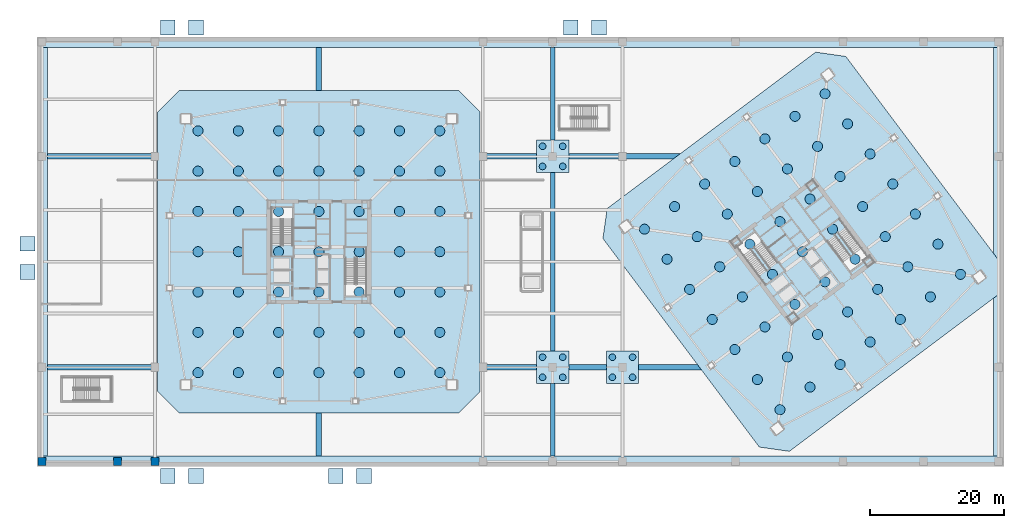
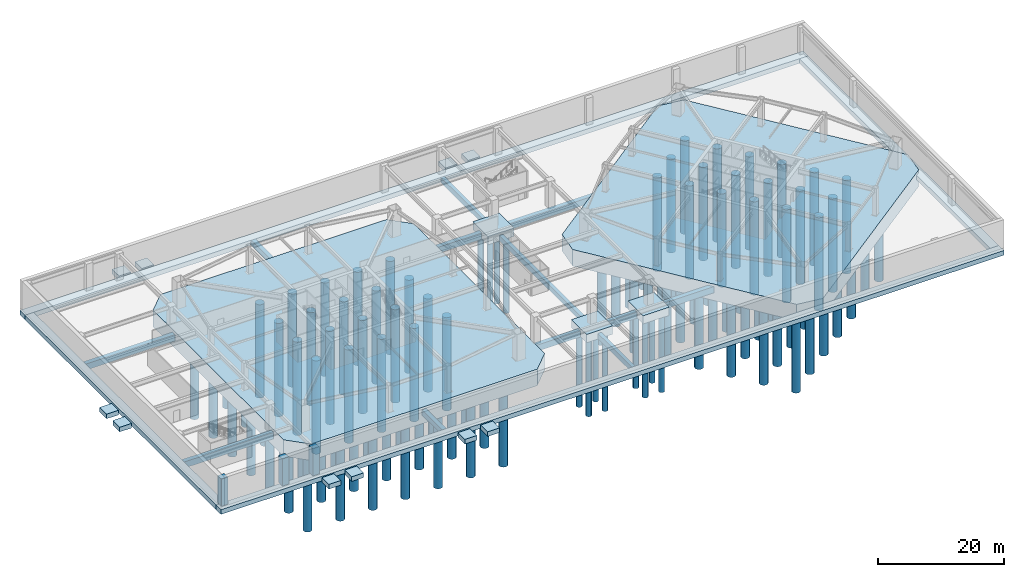
# One storey, part 1 of 19: 110 piles, 31 footings, 3 columns.
"""IFC4 building model written with IfcOpenShell, lengths in metres."""

import ifcopenshell
import ifcopenshell.guid

model = None  # the IFC model being written
_history = None  # IfcOwnerHistory: only IFC2X3 demands one
_inside = {}  # id of a spatial element -> (the spatial element, [elements in it])
_under = {}  # id of a project, library or spatial element -> (it, [spatial elements below it])
_declared = {}  # id of a project -> (the project, [libraries it declares])
_typed = {}  # id of a type object -> (the type object, [elements of that type])
_made_of = {}  # id of a material, layer set ... -> (it, [elements and type objects made of it])


def new_model(schema):
    """Start an empty IFC model of exactly this schema.

    Asked for "IFC4X3", IfcOpenShell would pick the latest addendum, in which some entities
    have other attributes; the version numbers below select the first issue.
    IFC2X3 requires an IfcOwnerHistory on every rooted entity: one is made here for all.
    """
    global model, _history
    if schema == "IFC4X3":
        model = ifcopenshell.file(schema_version=(4, 3, 0, 0))
    else:
        model = ifcopenshell.file(schema=schema)
    _inside.clear()
    _under.clear()
    _declared.clear()
    _typed.clear()
    _made_of.clear()
    _history = None
    if model.schema == "IFC2X3":
        org = make("IfcOrganization", Name="unknown")
        user = make(
            "IfcPersonAndOrganization",
            ThePerson=make("IfcPerson", FamilyName="unknown"),
            TheOrganization=org,
        )
        app = make(
            "IfcApplication",
            ApplicationDeveloper=org,
            Version="unknown",
            ApplicationFullName="unknown",
            ApplicationIdentifier="unknown",
        )
        _history = make(
            "IfcOwnerHistory",
            OwningUser=user,
            OwningApplication=app,
            ChangeAction="ADDED",
            CreationDate=0,
        )
    return model


def make(cls, **values):
    """One entity of the class cls with the attributes given. An attribute that is None is left unset."""
    return model.create_entity(
        cls, **{name: value for name, value in values.items() if value is not None}
    )


def rooted(cls, **values):
    """An entity with a GlobalId (a new one), such as an element, a storey or a relation."""
    return make(cls, GlobalId=ifcopenshell.guid.new(), OwnerHistory=_history, **values)


def si_unit(unit_type, name, prefix=None):
    """IfcSIUnit, for example si_unit("LENGTHUNIT", "METRE", prefix="MILLI")."""
    return make("IfcSIUnit", UnitType=unit_type, Prefix=prefix, Name=name)


def assignment(units):
    """IfcUnitAssignment: the units of a project."""
    return None if units is None else make("IfcUnitAssignment", Units=units)


def point(xyz):
    """IfcCartesianPoint."""
    return None if xyz is None else make("IfcCartesianPoint", Coordinates=xyz)


def direction(xyz):
    """IfcDirection."""
    return None if xyz is None else make("IfcDirection", DirectionRatios=xyz)


def frame(location, z_axis=None, x_axis=None):
    """IfcAxis2Placement3D, a coordinate frame: its origin and axes. An axis left out is left unset."""
    return make(
        "IfcAxis2Placement3D",
        Location=point(location),
        Axis=direction(z_axis),
        RefDirection=direction(x_axis),
    )


def frame_2d(location, x_axis=None):
    """IfcAxis2Placement2D, a coordinate frame in the plane: its origin and x axis."""
    return make(
        "IfcAxis2Placement2D", Location=point(location), RefDirection=direction(x_axis)
    )


def origin():
    """The frame at (0, 0, 0) with its axes left unset."""
    return frame((0.0, 0.0, 0.0))


def origin_2d():
    """The frame at (0, 0) in the plane with its x axis left unset."""
    return frame_2d((0.0, 0.0))


def place(relative_to, where):
    """IfcLocalPlacement: puts the frame where relative to a parent placement (None: the world)."""
    return make(
        "IfcLocalPlacement", PlacementRelTo=relative_to, RelativePlacement=where
    )


def context(
    kind, dimensions, precision=None, world=None, true_north=None, identifier=None
):
    """IfcGeometricRepresentationContext, for example the 3D "Model" context."""
    return make(
        "IfcGeometricRepresentationContext",
        ContextIdentifier=identifier,
        ContextType=kind,
        CoordinateSpaceDimension=dimensions,
        Precision=precision,
        WorldCoordinateSystem=world,
        TrueNorth=true_north,
    )


def subcontext(parent, identifier, kind, view, scale=None):
    """IfcGeometricRepresentationSubContext, for example "Body" below "Model"."""
    return make(
        "IfcGeometricRepresentationSubContext",
        ContextIdentifier=identifier,
        ContextType=kind,
        ParentContext=parent,
        TargetScale=scale,
        TargetView=view,
    )


def project(units=None, contexts=None):
    """IfcProject with its units and contexts."""
    return rooted(
        "IfcProject",
        Name="project",
        RepresentationContexts=contexts,
        UnitsInContext=assignment(units),
    )


def spatial(cls, under=None, at=None, **own):
    """A site, building, storey or space (cls), placed at a placement, below another one or the project."""
    s = rooted(cls, ObjectPlacement=at, **own)
    if under is not None:
        _under.setdefault(under.id(), (under, []))[1].append(s)
    return s


def polyline(points):
    """IfcPolyline through the points."""
    return make("IfcPolyline", Points=[point(p) for p in points])


def profile(cls, at=None, kind="AREA", **sizes):
    """A parametric profile (cls). Its sizes go by their IFC names, for example OverallWidth=200.0."""
    return make(cls, ProfileType=kind, Position=at, **sizes)


def rectangle(**sizes):
    """IfcRectangleProfileDef."""
    return profile("IfcRectangleProfileDef", **sizes)


def circle(**sizes):
    """IfcCircleProfileDef."""
    return profile("IfcCircleProfileDef", **sizes)


def outline(outer, holes=None, kind="AREA"):
    """IfcArbitraryClosedProfileDef: a profile drawn as a closed curve; with holes, ...WithVoids."""
    if holes is None:
        return make("IfcArbitraryClosedProfileDef", ProfileType=kind, OuterCurve=outer)
    return make(
        "IfcArbitraryProfileDefWithVoids",
        ProfileType=kind,
        OuterCurve=outer,
        InnerCurves=holes,
    )


def extrude(swept, where, along, depth):
    """IfcExtrudedAreaSolid: the profile swept, set in the frame where, extruded along a direction by depth."""
    return make(
        "IfcExtrudedAreaSolid",
        SweptArea=swept,
        Position=where,
        ExtrudedDirection=direction(along),
        Depth=depth,
    )


def shape(context_of_items, identifier, shape_type, items):
    """IfcShapeRepresentation: the items that make up one representation, for example the "Body"."""
    return make(
        "IfcShapeRepresentation",
        ContextOfItems=context_of_items,
        RepresentationIdentifier=identifier,
        RepresentationType=shape_type,
        Items=items,
    )


def material(Name=None, Category=None):
    """IfcMaterial."""
    return make("IfcMaterial", Name=Name, Category=Category)


def layer(
    of_material, thickness, ventilated=None, Name=None, Category=None, Priority=None
):
    """IfcMaterialLayer: one layer of a wall or slab, of a material (None: an air gap)."""
    return make(
        "IfcMaterialLayer",
        Material=of_material,
        LayerThickness=thickness,
        IsVentilated=ventilated,
        Name=Name,
        Category=Category,
        Priority=Priority,
    )


def layer_set(layers, Name=None):
    """IfcMaterialLayerSet."""
    return make("IfcMaterialLayerSet", MaterialLayers=layers, LayerSetName=Name)


def material_profile(
    of_material, cross_section, Name=None, Category=None, Priority=None
):
    """IfcMaterialProfile: a cross section and its material."""
    return make(
        "IfcMaterialProfile",
        Name=Name,
        Material=of_material,
        Profile=cross_section,
        Priority=Priority,
        Category=Category,
    )


def profile_set(profiles, Name=None, composite=None):
    """IfcMaterialProfileSet."""
    return make(
        "IfcMaterialProfileSet",
        Name=Name,
        MaterialProfiles=profiles,
        CompositeProfile=composite,
    )


def made_of(thing, what):
    """Note that an element or type object is made of a material, layer set ...; save() writes the relation."""
    if what is not None:
        _made_of.setdefault(what.id(), (what, []))[1].append(thing)
    return thing


def type_object(cls, material=None, **own):
    """A type object (cls), such as IfcWallType, which elements share."""
    return made_of(rooted(cls, **own), material)


def element(
    cls,
    number,
    at=None,
    inside=None,
    cuts=None,
    type_object=None,
    material=None,
    context=None,
    identifier="Body",
    shape_type=None,
    held_by="IfcProductDefinitionShape",
    body=None,
    shapes=None,
    **own,
):
    """One element of the class cls, such as IfcWall. Its Tag is "e" and its number.

    at: its placement. inside: the storey or other place that contains it. cuts: it is an
    opening in that element (IfcRelVoidsElement). A single representation is given by context,
    identifier, shape_type and body (its items); several are given by shapes. held_by: the class
    of the entity that holds the representations. save() writes the other relations.
    """
    e = rooted(cls, Tag="e%d" % number, ObjectPlacement=at, **own)
    if body is not None:
        shapes = [shape(context, identifier, shape_type, body)]
    if shapes is not None:
        e.Representation = make(held_by, Representations=shapes)
    if inside is not None:
        _inside.setdefault(inside.id(), (inside, []))[1].append(e)
    if cuts is not None:
        rooted(
            "IfcRelVoidsElement", RelatingBuildingElement=cuts, RelatedOpeningElement=e
        )
    if type_object is not None:
        _typed.setdefault(type_object.id(), (type_object, []))[1].append(e)
    return made_of(e, material)


def aggregate(whole, parts):
    """IfcRelAggregates: a whole, such as a stair, and the parts it consists of."""
    return rooted("IfcRelAggregates", RelatingObject=whole, RelatedObjects=parts)


def save(model, path):
    """Write the relations noted so far, then the file.

    IfcRelAggregates (storeys below a building ...), IfcRelContainedInSpatialStructure (elements
    in a storey), IfcRelDefinesByType, IfcRelAssociatesMaterial and IfcRelDeclares: one each for
    every whole, place, type object, material and project.
    """
    for whole, parts in _under.values():
        aggregate(whole, parts)
    for where, things in _inside.values():
        rooted(
            "IfcRelContainedInSpatialStructure",
            RelatedElements=things,
            RelatingStructure=where,
        )
    for kind, things in _typed.values():
        rooted("IfcRelDefinesByType", RelatedObjects=things, RelatingType=kind)
    for what, things in _made_of.values():
        rooted("IfcRelAssociatesMaterial", RelatedObjects=things, RelatingMaterial=what)
    for by, libraries in _declared.values():
        rooted("IfcRelDeclares", RelatingContext=by, RelatedDefinitions=libraries)
    model.write(path)


model = new_model("IFC4")

# Units and contexts
model_context = context("Model", 3, precision=1e-05, world=origin(), true_north=direction((0.0, 1.0)))
body_context = subcontext(model_context, "Body", "Model", "MODEL_VIEW")
ifc_project = project(units=[si_unit("LENGTHUNIT", "METRE"), si_unit("AREAUNIT", "SQUARE_METRE"), si_unit("VOLUMEUNIT", "CUBIC_METRE"), si_unit("PLANEANGLEUNIT", "RADIAN"), si_unit("MASSUNIT", "GRAM", prefix="KILO")], contexts=[model_context])

# Site, building, storey
site_placement = place(None, origin())
site = spatial("IfcSite", under=ifc_project, at=site_placement, CompositionType="ELEMENT")
building_placement = place(site_placement, origin())
building = spatial("IfcBuilding", under=site, at=building_placement, Name="Tashvorn Skyway Center", CompositionType="ELEMENT")
storey_placement = place(building_placement, frame((0.0, 0.0, -11.0)))
storey = spatial("IfcBuildingStorey", under=building, at=storey_placement, Name="B2", CompositionType="ELEMENT", Elevation=-11.0)

# Footings
ifc_material = material(Name="Concrete C50/60", Category="concrete")
footing_type_1 = type_object("IfcFootingType", Name="FTG-GB-650x1000", PredefinedType="FOOTING_BEAM", material=ifc_material)
footing_1_placement = place(storey_placement, frame((0.0, 0.0, -1.5)))
element("IfcFooting", 1, at=footing_1_placement, inside=storey, type_object=footing_type_1, Name="Foundation Ground Tie Beam GB-S1", PredefinedType="FOOTING_BEAM", context=body_context, shape_type="SweptSolid", body=[
    extrude(outline(polyline([(41.60009765625, 1.60009765625), (42.39990234375, 1.60009765625), (42.39990234375, 8.0), (41.60009765625, 8.0), (41.60009765625, 1.60009765625)])), origin(), (0.0, 0.0, 1.0), 1.0),
])
footing_2_placement = place(storey_placement, frame((0.0, 0.0, -1.5)))
element("IfcFooting", 2, at=footing_2_placement, inside=storey, type_object=footing_type_1, Name="Foundation Ground Tie Beam GB-N1", PredefinedType="FOOTING_BEAM", context=body_context, shape_type="SweptSolid", body=[
    extrude(outline(polyline([(41.60009765625, 56.0), (42.39990234375, 56.0), (42.39990234375, 62.39990234375), (41.60009765625, 62.39990234375), (41.60009765625, 56.0)])), origin(), (0.0, 0.0, 1.0), 1.0),
])
footing_3_placement = place(storey_placement, frame((0.0, 0.0, -1.5)))
element("IfcFooting", 3, at=footing_3_placement, inside=storey, type_object=footing_type_1, Name="Foundation Ground Tie Beam GB-C1", PredefinedType="FOOTING_BEAM", context=body_context, shape_type="SweptSolid", body=[
    extrude(outline(polyline([(76.47509765625, 1.60009765625), (77.125, 1.60009765625), (77.125, 12.39990234375), (76.47509765625, 12.39990234375), (76.47509765625, 1.60009765625)])), origin(), (0.0, 0.0, 1.0), 1.0),
])
footing_4_placement = place(storey_placement, frame((0.0, 0.0, -1.5)))
element("IfcFooting", 4, at=footing_4_placement, inside=storey, type_object=footing_type_1, Name="Foundation Ground Tie Beam GB-C2", PredefinedType="FOOTING_BEAM", context=body_context, shape_type="SweptSolid", body=[
    extrude(outline(polyline([(76.47509765625, 17.199951171875), (77.125, 17.199951171875), (77.125, 43.800048828125), (76.47509765625, 43.800048828125), (76.47509765625, 17.199951171875)])), origin(), (0.0, 0.0, 1.0), 1.0),
])
footing_5_placement = place(storey_placement, frame((0.0, 0.0, -1.5)))
element("IfcFooting", 5, at=footing_5_placement, inside=storey, type_object=footing_type_1, Name="Foundation Ground Tie Beam GB-C3", PredefinedType="FOOTING_BEAM", context=body_context, shape_type="SweptSolid", body=[
    extrude(outline(polyline([(76.47509765625, 48.60009765625), (77.125, 48.60009765625), (77.125, 62.39990234375), (76.47509765625, 62.39990234375), (76.47509765625, 48.60009765625)])), origin(), (0.0, 0.0, 1.0), 1.0),
])
footing_type_2 = type_object("IfcFootingType", Name="FTG-GB-800x1200", PredefinedType="FOOTING_BEAM", material=ifc_material)
footing_6_placement = place(storey_placement, frame((0.0, 0.0, -1.699951171875)))
element("IfcFooting", 6, at=footing_6_placement, inside=storey, type_object=footing_type_2, Name="Foundation Ground Tie Beam GB-W1", PredefinedType="FOOTING_BEAM", context=body_context, shape_type="SweptSolid", body=[
    extrude(outline(polyline([(1.60009765625, 14.39990234375), (18.0, 14.39990234375), (18.0, 15.199951171875), (1.60009765625, 15.199951171875), (1.60009765625, 14.39990234375)])), origin(), (0.0, 0.0, 1.0), 1.199951171875),
])
footing_7_placement = place(storey_placement, frame((0.0, 0.0, -1.699951171875)))
element("IfcFooting", 7, at=footing_7_placement, inside=storey, type_object=footing_type_2, Name="Foundation Ground Tie Beam GB-W2", PredefinedType="FOOTING_BEAM", context=body_context, shape_type="SweptSolid", body=[
    extrude(outline(polyline([(1.60009765625, 45.800048828125), (18.0, 45.800048828125), (18.0, 46.60009765625), (1.60009765625, 46.60009765625), (1.60009765625, 45.800048828125)])), origin(), (0.0, 0.0, 1.0), 1.199951171875),
])
footing_8_placement = place(storey_placement, frame((0.0, 0.0, -1.699951171875)))
element("IfcFooting", 8, at=footing_8_placement, inside=storey, type_object=footing_type_2, Name="Foundation Ground Tie Beam GB-M1", PredefinedType="FOOTING_BEAM", context=body_context, shape_type="SweptSolid", body=[
    extrude(outline(polyline([(66.0, 14.39990234375), (74.39990234375, 14.39990234375), (74.39990234375, 15.199951171875), (66.0, 15.199951171875), (66.0, 14.39990234375)])), origin(), (0.0, 0.0, 1.0), 1.199951171875),
])
footing_9_placement = place(storey_placement, frame((0.0, 0.0, -1.699951171875)))
element("IfcFooting", 9, at=footing_9_placement, inside=storey, type_object=footing_type_2, Name="Foundation Ground Tie Beam GB-M1-2", PredefinedType="FOOTING_BEAM", context=body_context, shape_type="SweptSolid", body=[
    extrude(outline(polyline([(79.199951171875, 14.39990234375), (84.800048828125, 14.39990234375), (84.800048828125, 15.199951171875), (79.199951171875, 15.199951171875), (79.199951171875, 14.39990234375)])), origin(), (0.0, 0.0, 1.0), 1.199951171875),
])
footing_10_placement = place(storey_placement, frame((0.0, 0.0, -1.699951171875)))
element("IfcFooting", 10, at=footing_10_placement, inside=storey, type_object=footing_type_2, Name="Foundation Ground Tie Beam GB-M1-3", PredefinedType="FOOTING_BEAM", context=body_context, shape_type="SweptSolid", body=[
    extrude(outline(polyline([(89.60009765625, 14.39990234375), (98.948974609375, 14.39990234375), (98.34912109375, 15.199951171875), (89.60009765625, 15.199951171875), (89.60009765625, 14.39990234375)])), origin(), (0.0, 0.0, 1.0), 1.199951171875),
])
footing_11_placement = place(storey_placement, frame((0.0, 0.0, -1.699951171875)))
element("IfcFooting", 11, at=footing_11_placement, inside=storey, type_object=footing_type_2, Name="Foundation Ground Tie Beam GB-M2", PredefinedType="FOOTING_BEAM", context=body_context, shape_type="SweptSolid", body=[
    extrude(outline(polyline([(66.0, 45.800048828125), (74.39990234375, 45.800048828125), (74.39990234375, 46.60009765625), (66.0, 46.60009765625), (66.0, 45.800048828125)])), origin(), (0.0, 0.0, 1.0), 1.199951171875),
])
footing_12_placement = place(storey_placement, frame((0.0, 0.0, -1.699951171875)))
element("IfcFooting", 12, at=footing_12_placement, inside=storey, type_object=footing_type_2, Name="Foundation Ground Tie Beam GB-M2-2", PredefinedType="FOOTING_BEAM", context=body_context, shape_type="SweptSolid", body=[
    extrude(outline(polyline([(79.199951171875, 45.800048828125), (94.73193359375, 45.800048828125), (95.798095703125, 46.60009765625), (79.199951171875, 46.60009765625), (79.199951171875, 45.800048828125)])), origin(), (0.0, 0.0, 1.0), 1.199951171875),
])
ifc_layer_1 = layer(ifc_material, 3.199951171875)
ifc_layer_set_1 = layer_set([ifc_layer_1], Name="Concrete C50/60")
footing_type_3 = type_object("IfcFootingType", Name="FTG-MAT-T1", PredefinedType="PILE_CAP", material=ifc_layer_set_1)
footing_13_placement = place(storey_placement, frame((0.0, 0.0, -3.199951171875)))
element("IfcFooting", 13, at=footing_13_placement, inside=storey, type_object=footing_type_3, Name="Tower 1 Monolithic Piled Mat Foundation", PredefinedType="PILE_CAP", context=body_context, shape_type="SweptSolid", body=[
    extrude(outline(polyline([(21.199951171875, 8.0), (62.800048828125, 8.0), (66.0, 11.199951171875), (66.0, 52.800048828125), (62.800048828125, 56.0), (21.199951171875, 56.0), (18.0, 52.800048828125), (18.0, 11.199951171875), (21.199951171875, 8.0)])), origin(), (0.0, 0.0, 1.0), 3.199951171875),
])
ifc_layer_2 = layer(ifc_material, 3.199951171875)
ifc_layer_set_2 = layer_set([ifc_layer_2], Name="Concrete C50/60")
footing_type_4 = type_object("IfcFootingType", Name="FTG-MAT-T2", PredefinedType="PILE_CAP", material=ifc_layer_set_2)
footing_14_placement = place(storey_placement, frame((0.0, 0.0, -3.199951171875)))
element("IfcFooting", 14, at=footing_14_placement, inside=storey, type_object=footing_type_4, Name="Tower 2 Monolithic Piled Mat Foundation", PredefinedType="PILE_CAP", context=body_context, shape_type="SweptSolid", body=[
    extrude(outline(polyline([(112.0400390625, 2.280029296875), (143.080078125, 25.56005859375), (143.719970703125, 30.0400390625), (120.43994140625, 61.080078125), (115.9599609375, 61.719970703125), (84.919921875, 38.43994140625), (84.280029296875, 33.9599609375), (107.56005859375, 2.919921875), (112.0400390625, 2.280029296875)])), origin(), (0.0, 0.0, 1.0), 3.199951171875),
])
ifc_layer_3 = layer(ifc_material, 1.60009765625)
ifc_layer_set_3 = layer_set([ifc_layer_3], Name="Concrete C50/60")
footing_type_5 = type_object("IfcFootingType", Name="FTG-PC-4P", PredefinedType="PILE_CAP", material=ifc_layer_set_3)
footing_15_placement = place(storey_placement, frame((0.0, 0.0, -1.60009765625)))
element("IfcFooting", 15, at=footing_15_placement, inside=storey, type_object=footing_type_5, Name="Podium 4-Pile Cap 27", PredefinedType="PILE_CAP", context=body_context, shape_type="SweptSolid", body=[
    extrude(outline(polyline([(74.39990234375, 12.39990234375), (79.199951171875, 12.39990234375), (79.199951171875, 17.199951171875), (74.39990234375, 17.199951171875), (74.39990234375, 12.39990234375)])), origin(), (0.0, 0.0, 1.0), 1.60009765625),
])
footing_16_placement = place(storey_placement, frame((0.0, 0.0, -1.60009765625)))
element("IfcFooting", 16, at=footing_16_placement, inside=storey, type_object=footing_type_5, Name="Podium 4-Pile Cap 28", PredefinedType="PILE_CAP", context=body_context, shape_type="SweptSolid", body=[
    extrude(outline(polyline([(74.39990234375, 43.800048828125), (79.199951171875, 43.800048828125), (79.199951171875, 48.60009765625), (74.39990234375, 48.60009765625), (74.39990234375, 43.800048828125)])), origin(), (0.0, 0.0, 1.0), 1.60009765625),
])
footing_17_placement = place(storey_placement, frame((0.0, 0.0, -1.60009765625)))
element("IfcFooting", 17, at=footing_17_placement, inside=storey, type_object=footing_type_5, Name="Podium 4-Pile Cap 29", PredefinedType="PILE_CAP", context=body_context, shape_type="SweptSolid", body=[
    extrude(outline(polyline([(84.800048828125, 12.39990234375), (89.60009765625, 12.39990234375), (89.60009765625, 17.199951171875), (84.800048828125, 17.199951171875), (84.800048828125, 12.39990234375)])), origin(), (0.0, 0.0, 1.0), 1.60009765625),
])
footing_type_6 = type_object("IfcFootingType", Name="FTG-SF-1600x900", PredefinedType="STRIP_FOOTING", material=ifc_material)
footing_18_placement = place(storey_placement, frame((0.0, 0.0, -1.39990234375)))
element("IfcFooting", 18, at=footing_18_placement, inside=storey, type_object=footing_type_6, Name="Perimeter Retaining Wall Strip Footing SF-S", PredefinedType="STRIP_FOOTING", context=body_context, shape_type="SweptSolid", body=[
    extrude(outline(polyline([(0.0, 0.0), (144.0, 0.0), (144.0, 1.60009765625), (0.0, 1.60009765625), (0.0, 0.0)])), origin(), (0.0, 0.0, 1.0), 0.89990234375),
])
footing_19_placement = place(storey_placement, frame((0.0, 0.0, -1.39990234375)))
element("IfcFooting", 19, at=footing_19_placement, inside=storey, type_object=footing_type_6, Name="Perimeter Retaining Wall Strip Footing SF-N", PredefinedType="STRIP_FOOTING", context=body_context, shape_type="SweptSolid", body=[
    extrude(outline(polyline([(0.0, 62.39990234375), (144.0, 62.39990234375), (144.0, 64.0), (0.0, 64.0), (0.0, 62.39990234375)])), origin(), (0.0, 0.0, 1.0), 0.89990234375),
])
footing_20_placement = place(storey_placement, frame((0.0, 0.0, -1.39990234375)))
element("IfcFooting", 20, at=footing_20_placement, inside=storey, type_object=footing_type_6, Name="Perimeter Retaining Wall Strip Footing SF-W", PredefinedType="STRIP_FOOTING", context=body_context, shape_type="SweptSolid", body=[
    extrude(outline(polyline([(0.0, 1.60009765625), (1.60009765625, 1.60009765625), (1.60009765625, 62.39990234375), (0.0, 62.39990234375), (0.0, 1.60009765625)])), origin(), (0.0, 0.0, 1.0), 0.89990234375),
])
footing_21_placement = place(storey_placement, frame((0.0, 0.0, -1.39990234375)))
element("IfcFooting", 21, at=footing_21_placement, inside=storey, type_object=footing_type_6, Name="Perimeter Retaining Wall Strip Footing SF-E", PredefinedType="STRIP_FOOTING", context=body_context, shape_type="SweptSolid", body=[
    extrude(outline(polyline([(142.39990234375, 1.60009765625), (144.0, 1.60009765625), (144.0, 62.39990234375), (142.39990234375, 62.39990234375), (142.39990234375, 31.802001953125), (143.720947265625, 30.0400390625), (143.0810546875, 25.55908203125), (142.39990234375, 25.049072265625), (142.39990234375, 1.60009765625)])), origin(), (0.0, 0.0, 1.0), 0.89990234375),
])
footing_22_placement = place(storey_placement, frame((0.0, 0.0, -1.39990234375)))
element("IfcFooting", 22, at=footing_22_placement, inside=storey, type_object=footing_type_6, Name="Accessible Ramp S1 Abutment Footing 1", PredefinedType="STRIP_FOOTING", context=body_context, shape_type="SweptSolid", body=[
    extrude(outline(polyline([(18.39990234375, -2.5), (20.60009765625, -2.5), (20.60009765625, -0.300048828125), (18.39990234375, -0.300048828125), (18.39990234375, -2.5)])), origin(), (0.0, 0.0, 1.0), 0.89990234375),
])
footing_23_placement = place(storey_placement, frame((0.0, 0.0, -1.39990234375)))
element("IfcFooting", 23, at=footing_23_placement, inside=storey, type_object=footing_type_6, Name="Accessible Ramp S1 Abutment Footing 2", PredefinedType="STRIP_FOOTING", context=body_context, shape_type="SweptSolid", body=[
    extrude(outline(polyline([(22.60009765625, -2.5), (24.800048828125, -2.5), (24.800048828125, -0.300048828125), (22.60009765625, -0.300048828125), (22.60009765625, -2.5)])), origin(), (0.0, 0.0, 1.0), 0.89990234375),
])
footing_24_placement = place(storey_placement, frame((0.0, 0.0, -1.39990234375)))
element("IfcFooting", 24, at=footing_24_placement, inside=storey, type_object=footing_type_6, Name="Accessible Ramp S2 Abutment Footing 1", PredefinedType="STRIP_FOOTING", context=body_context, shape_type="SweptSolid", body=[
    extrude(outline(polyline([(43.39990234375, -2.5), (45.60009765625, -2.5), (45.60009765625, -0.300048828125), (43.39990234375, -0.300048828125), (43.39990234375, -2.5)])), origin(), (0.0, 0.0, 1.0), 0.89990234375),
])
footing_25_placement = place(storey_placement, frame((0.0, 0.0, -1.39990234375)))
element("IfcFooting", 25, at=footing_25_placement, inside=storey, type_object=footing_type_6, Name="Accessible Ramp S2 Abutment Footing 2", PredefinedType="STRIP_FOOTING", context=body_context, shape_type="SweptSolid", body=[
    extrude(outline(polyline([(47.60009765625, -2.5), (49.800048828125, -2.5), (49.800048828125, -0.300048828125), (47.60009765625, -0.300048828125), (47.60009765625, -2.5)])), origin(), (0.0, 0.0, 1.0), 0.89990234375),
])
footing_26_placement = place(storey_placement, frame((0.0, 0.0, -1.39990234375)))
element("IfcFooting", 26, at=footing_26_placement, inside=storey, type_object=footing_type_6, Name="Accessible Ramp N1 Abutment Footing 1", PredefinedType="STRIP_FOOTING", context=body_context, shape_type="SweptSolid", body=[
    extrude(outline(polyline([(18.39990234375, 64.300048828125), (20.60009765625, 64.300048828125), (20.60009765625, 66.5), (18.39990234375, 66.5), (18.39990234375, 64.300048828125)])), origin(), (0.0, 0.0, 1.0), 0.89990234375),
])
footing_27_placement = place(storey_placement, frame((0.0, 0.0, -1.39990234375)))
element("IfcFooting", 27, at=footing_27_placement, inside=storey, type_object=footing_type_6, Name="Accessible Ramp N1 Abutment Footing 2", PredefinedType="STRIP_FOOTING", context=body_context, shape_type="SweptSolid", body=[
    extrude(outline(polyline([(22.60009765625, 64.300048828125), (24.800048828125, 64.300048828125), (24.800048828125, 66.5), (22.60009765625, 66.5), (22.60009765625, 64.300048828125)])), origin(), (0.0, 0.0, 1.0), 0.89990234375),
])
footing_28_placement = place(storey_placement, frame((0.0, 0.0, -1.39990234375)))
element("IfcFooting", 28, at=footing_28_placement, inside=storey, type_object=footing_type_6, Name="Accessible Ramp N2 Abutment Footing 1", PredefinedType="STRIP_FOOTING", context=body_context, shape_type="SweptSolid", body=[
    extrude(outline(polyline([(78.39990234375, 64.300048828125), (80.60009765625, 64.300048828125), (80.60009765625, 66.5), (78.39990234375, 66.5), (78.39990234375, 64.300048828125)])), origin(), (0.0, 0.0, 1.0), 0.89990234375),
])
footing_29_placement = place(storey_placement, frame((0.0, 0.0, -1.39990234375)))
element("IfcFooting", 29, at=footing_29_placement, inside=storey, type_object=footing_type_6, Name="Accessible Ramp N2 Abutment Footing 2", PredefinedType="STRIP_FOOTING", context=body_context, shape_type="SweptSolid", body=[
    extrude(outline(polyline([(82.60009765625, 64.300048828125), (84.800048828125, 64.300048828125), (84.800048828125, 66.5), (82.60009765625, 66.5), (82.60009765625, 64.300048828125)])), origin(), (0.0, 0.0, 1.0), 0.89990234375),
])
footing_30_placement = place(storey_placement, frame((0.0, 0.0, -1.39990234375)))
element("IfcFooting", 30, at=footing_30_placement, inside=storey, type_object=footing_type_6, Name="Accessible Ramp W1 Abutment Footing 1", PredefinedType="STRIP_FOOTING", context=body_context, shape_type="SweptSolid", body=[
    extrude(outline(polyline([(-2.5, 27.89990234375), (-0.300048828125, 27.89990234375), (-0.300048828125, 30.10009765625), (-2.5, 30.10009765625), (-2.5, 27.89990234375)])), origin(), (0.0, 0.0, 1.0), 0.89990234375),
])
footing_31_placement = place(storey_placement, frame((0.0, 0.0, -1.39990234375)))
element("IfcFooting", 31, at=footing_31_placement, inside=storey, type_object=footing_type_6, Name="Accessible Ramp W1 Abutment Footing 2", PredefinedType="STRIP_FOOTING", context=body_context, shape_type="SweptSolid", body=[
    extrude(outline(polyline([(-2.5, 32.10009765625), (-0.300048828125, 32.10009765625), (-0.300048828125, 34.300048828125), (-2.5, 34.300048828125), (-2.5, 32.10009765625)])), origin(), (0.0, 0.0, 1.0), 0.89990234375),
])

# Piles
ifc_material_profile_1 = material_profile(ifc_material, circle(Radius=0.5, at=origin_2d()), Name="PILE-D1000")
ifc_profile_set_1 = profile_set([ifc_material_profile_1], Name="Concrete C50/60")
pile_type_1 = type_object("IfcPileType", Name="PILE-PILE-D1000", PredefinedType="BORED", material=ifc_profile_set_1)
for number, where, z_axis, x_axis, name in (
    (32, (75.300048828125, 13.300048828125, -1.449951171875), (0.0, 0.0, -1.0), (1.0, 0.0, 0.0), "Podium Pile 27-1"),
    (33, (75.300048828125, 16.300048828125, -1.449951171875), (0.0, 0.0, -1.0), (1.0, 0.0, 0.0), "Podium Pile 27-2"),
    (34, (78.300048828125, 13.300048828125, -1.449951171875), (0.0, 0.0, -1.0), (1.0, 0.0, 0.0), "Podium Pile 27-3"),
    (35, (78.300048828125, 16.300048828125, -1.449951171875), (0.0, 0.0, -1.0), (1.0, 0.0, 0.0), "Podium Pile 27-4"),
    (36, (75.300048828125, 44.699951171875, -1.449951171875), (0.0, 0.0, -1.0), (1.0, 0.0, 0.0), "Podium Pile 28-1"),
    (37, (75.300048828125, 47.699951171875, -1.449951171875), (0.0, 0.0, -1.0), (1.0, 0.0, 0.0), "Podium Pile 28-2"),
    (38, (78.300048828125, 44.699951171875, -1.449951171875), (0.0, 0.0, -1.0), (1.0, 0.0, 0.0), "Podium Pile 28-3"),
    (39, (78.300048828125, 47.699951171875, -1.449951171875), (0.0, 0.0, -1.0), (1.0, 0.0, 0.0), "Podium Pile 28-4"),
    (40, (85.699951171875, 13.300048828125, -1.449951171875), (0.0, 0.0, -1.0), (1.0, 0.0, 0.0), "Podium Pile 29-1"),
    (41, (85.699951171875, 16.300048828125, -1.449951171875), (0.0, 0.0, -1.0), (1.0, 0.0, 0.0), "Podium Pile 29-2"),
    (42, (88.699951171875, 13.300048828125, -1.449951171875), (0.0, 0.0, -1.0), (1.0, 0.0, 0.0), "Podium Pile 29-3"),
    (43, (88.699951171875, 16.300048828125, -1.449951171875), (0.0, 0.0, -1.0), (1.0, 0.0, 0.0), "Podium Pile 29-4"),
):
    element("IfcPile", number, at=place(storey_placement, frame(where, z_axis=z_axis, x_axis=x_axis)), inside=storey, type_object=pile_type_1, Name=name, PredefinedType="BORED", context=body_context, shape_type="SweptSolid", body=[
        extrude(circle(Radius=0.5, at=origin_2d()), origin(), (0.0, 0.0, 1.0), 15.050048828125),
    ])
ifc_material_profile_2 = material_profile(ifc_material, circle(Radius=0.75, at=origin_2d()), Name="PILE-D1500")
ifc_profile_set_2 = profile_set([ifc_material_profile_2], Name="Concrete C50/60")
pile_type_2 = type_object("IfcPileType", Name="PILE-PILE-D1500", PredefinedType="BORED", material=ifc_profile_set_2)
for number, where, z_axis, x_axis, name in (
    (44, (24.0, 14.0, -3.050048828125), (0.0, 0.0, -1.0), (1.0, 0.0, 0.0), "Tower 1 Caliche Shaft 1-1"),
    (45, (24.0, 20.0, -3.050048828125), (0.0, 0.0, -1.0), (1.0, 0.0, 0.0), "Tower 1 Caliche Shaft 1-2"),
    (46, (24.0, 26.0, -3.050048828125), (0.0, 0.0, -1.0), (1.0, 0.0, 0.0), "Tower 1 Caliche Shaft 1-3"),
    (47, (24.0, 32.0, -3.050048828125), (0.0, 0.0, -1.0), (1.0, 0.0, 0.0), "Tower 1 Caliche Shaft 1-4"),
    (48, (24.0, 38.0, -3.050048828125), (0.0, 0.0, -1.0), (1.0, 0.0, 0.0), "Tower 1 Caliche Shaft 1-5"),
    (49, (24.0, 44.0, -3.050048828125), (0.0, 0.0, -1.0), (1.0, 0.0, 0.0), "Tower 1 Caliche Shaft 1-6"),
    (50, (24.0, 50.0, -3.050048828125), (0.0, 0.0, -1.0), (1.0, 0.0, 0.0), "Tower 1 Caliche Shaft 1-7"),
    (51, (30.0, 14.0, -3.050048828125), (0.0, 0.0, -1.0), (1.0, 0.0, 0.0), "Tower 1 Caliche Shaft 2-1"),
    (52, (30.0, 20.0, -3.050048828125), (0.0, 0.0, -1.0), (1.0, 0.0, 0.0), "Tower 1 Caliche Shaft 2-2"),
    (53, (30.0, 26.0, -3.050048828125), (0.0, 0.0, -1.0), (1.0, 0.0, 0.0), "Tower 1 Caliche Shaft 2-3"),
    (54, (30.0, 32.0, -3.050048828125), (0.0, 0.0, -1.0), (1.0, 0.0, 0.0), "Tower 1 Caliche Shaft 2-4"),
    (55, (30.0, 38.0, -3.050048828125), (0.0, 0.0, -1.0), (1.0, 0.0, 0.0), "Tower 1 Caliche Shaft 2-5"),
    (56, (30.0, 44.0, -3.050048828125), (0.0, 0.0, -1.0), (1.0, 0.0, 0.0), "Tower 1 Caliche Shaft 2-6"),
    (57, (30.0, 50.0, -3.050048828125), (0.0, 0.0, -1.0), (1.0, 0.0, 0.0), "Tower 1 Caliche Shaft 2-7"),
    (58, (36.0, 14.0, -3.050048828125), (0.0, 0.0, -1.0), (1.0, 0.0, 0.0), "Tower 1 Caliche Shaft 3-1"),
    (59, (36.0, 20.0, -3.050048828125), (0.0, 0.0, -1.0), (1.0, 0.0, 0.0), "Tower 1 Caliche Shaft 3-2"),
    (60, (36.0, 26.0, -3.050048828125), (0.0, 0.0, -1.0), (1.0, 0.0, 0.0), "Tower 1 Caliche Shaft 3-3"),
    (61, (36.0, 32.0, -3.050048828125), (0.0, 0.0, -1.0), (1.0, 0.0, 0.0), "Tower 1 Caliche Shaft 3-4"),
    (62, (36.0, 38.0, -3.050048828125), (0.0, 0.0, -1.0), (1.0, 0.0, 0.0), "Tower 1 Caliche Shaft 3-5"),
    (63, (36.0, 44.0, -3.050048828125), (0.0, 0.0, -1.0), (1.0, 0.0, 0.0), "Tower 1 Caliche Shaft 3-6"),
    (64, (36.0, 50.0, -3.050048828125), (0.0, 0.0, -1.0), (1.0, 0.0, 0.0), "Tower 1 Caliche Shaft 3-7"),
    (65, (42.0, 14.0, -3.050048828125), (0.0, 0.0, -1.0), (1.0, 0.0, 0.0), "Tower 1 Caliche Shaft 4-1"),
    (66, (42.0, 20.0, -3.050048828125), (0.0, 0.0, -1.0), (1.0, 0.0, 0.0), "Tower 1 Caliche Shaft 4-2"),
    (67, (42.0, 26.0, -3.050048828125), (0.0, 0.0, -1.0), (1.0, 0.0, 0.0), "Tower 1 Caliche Shaft 4-3"),
    (68, (42.0, 32.0, -3.050048828125), (0.0, 0.0, -1.0), (1.0, 0.0, 0.0), "Tower 1 Caliche Shaft 4-4"),
    (69, (42.0, 38.0, -3.050048828125), (0.0, 0.0, -1.0), (1.0, 0.0, 0.0), "Tower 1 Caliche Shaft 4-5"),
    (70, (42.0, 44.0, -3.050048828125), (0.0, 0.0, -1.0), (1.0, 0.0, 0.0), "Tower 1 Caliche Shaft 4-6"),
    (71, (42.0, 50.0, -3.050048828125), (0.0, 0.0, -1.0), (1.0, 0.0, 0.0), "Tower 1 Caliche Shaft 4-7"),
    (72, (48.0, 14.0, -3.050048828125), (0.0, 0.0, -1.0), (1.0, 0.0, 0.0), "Tower 1 Caliche Shaft 5-1"),
    (73, (48.0, 20.0, -3.050048828125), (0.0, 0.0, -1.0), (1.0, 0.0, 0.0), "Tower 1 Caliche Shaft 5-2"),
    (74, (48.0, 26.0, -3.050048828125), (0.0, 0.0, -1.0), (1.0, 0.0, 0.0), "Tower 1 Caliche Shaft 5-3"),
    (75, (48.0, 32.0, -3.050048828125), (0.0, 0.0, -1.0), (1.0, 0.0, 0.0), "Tower 1 Caliche Shaft 5-4"),
    (76, (48.0, 38.0, -3.050048828125), (0.0, 0.0, -1.0), (1.0, 0.0, 0.0), "Tower 1 Caliche Shaft 5-5"),
    (77, (48.0, 44.0, -3.050048828125), (0.0, 0.0, -1.0), (1.0, 0.0, 0.0), "Tower 1 Caliche Shaft 5-6"),
    (78, (48.0, 50.0, -3.050048828125), (0.0, 0.0, -1.0), (1.0, 0.0, 0.0), "Tower 1 Caliche Shaft 5-7"),
    (79, (54.0, 14.0, -3.050048828125), (0.0, 0.0, -1.0), (1.0, 0.0, 0.0), "Tower 1 Caliche Shaft 6-1"),
    (80, (54.0, 20.0, -3.050048828125), (0.0, 0.0, -1.0), (1.0, 0.0, 0.0), "Tower 1 Caliche Shaft 6-2"),
    (81, (54.0, 26.0, -3.050048828125), (0.0, 0.0, -1.0), (1.0, 0.0, 0.0), "Tower 1 Caliche Shaft 6-3"),
    (82, (54.0, 32.0, -3.050048828125), (0.0, 0.0, -1.0), (1.0, 0.0, 0.0), "Tower 1 Caliche Shaft 6-4"),
    (83, (54.0, 38.0, -3.050048828125), (0.0, 0.0, -1.0), (1.0, 0.0, 0.0), "Tower 1 Caliche Shaft 6-5"),
    (84, (54.0, 44.0, -3.050048828125), (0.0, 0.0, -1.0), (1.0, 0.0, 0.0), "Tower 1 Caliche Shaft 6-6"),
    (85, (54.0, 50.0, -3.050048828125), (0.0, 0.0, -1.0), (1.0, 0.0, 0.0), "Tower 1 Caliche Shaft 6-7"),
    (86, (60.0, 14.0, -3.050048828125), (0.0, 0.0, -1.0), (1.0, 0.0, 0.0), "Tower 1 Caliche Shaft 7-1"),
    (87, (60.0, 20.0, -3.050048828125), (0.0, 0.0, -1.0), (1.0, 0.0, 0.0), "Tower 1 Caliche Shaft 7-2"),
    (88, (60.0, 26.0, -3.050048828125), (0.0, 0.0, -1.0), (1.0, 0.0, 0.0), "Tower 1 Caliche Shaft 7-3"),
    (89, (60.0, 32.0, -3.050048828125), (0.0, 0.0, -1.0), (1.0, 0.0, 0.0), "Tower 1 Caliche Shaft 7-4"),
    (90, (60.0, 38.0, -3.050048828125), (0.0, 0.0, -1.0), (1.0, 0.0, 0.0), "Tower 1 Caliche Shaft 7-5"),
    (91, (60.0, 44.0, -3.050048828125), (0.0, 0.0, -1.0), (1.0, 0.0, 0.0), "Tower 1 Caliche Shaft 7-6"),
    (92, (60.0, 50.0, -3.050048828125), (0.0, 0.0, -1.0), (1.0, 0.0, 0.0), "Tower 1 Caliche Shaft 7-7"),
    (93, (110.639892578125, 8.47998046875, -3.050048828125), (0.0, 0.0, -1.0), (1.0, 0.0, 0.0), "Tower 2 Caliche Shaft 1-1"),
    (94, (107.280029296875, 12.9599609375, -3.050048828125), (0.0, 0.0, -1.0), (1.0, 0.0, 0.0), "Tower 2 Caliche Shaft 1-2"),
    (95, (103.919921875, 17.43994140625, -3.050048828125), (0.0, 0.0, -1.0), (1.0, 0.0, 0.0), "Tower 2 Caliche Shaft 1-3"),
    (96, (100.56005859375, 21.919921875, -3.050048828125), (0.0, 0.0, -1.0), (1.0, 0.0, 0.0), "Tower 2 Caliche Shaft 1-4"),
    (97, (97.199951171875, 26.39990234375, -3.050048828125), (0.0, 0.0, -1.0), (1.0, 0.0, 0.0), "Tower 2 Caliche Shaft 1-5"),
    (98, (93.840087890625, 30.8798828125, -3.050048828125), (0.0, 0.0, -1.0), (1.0, 0.0, 0.0), "Tower 2 Caliche Shaft 1-6"),
    (99, (90.47998046875, 35.360107421875, -3.050048828125), (0.0, 0.0, -1.0), (1.0, 0.0, 0.0), "Tower 2 Caliche Shaft 1-7"),
    (100, (115.1201171875, 11.840087890625, -3.050048828125), (0.0, 0.0, -1.0), (1.0, 0.0, 0.0), "Tower 2 Caliche Shaft 2-1"),
    (101, (111.760009765625, 16.320068359375, -3.050048828125), (0.0, 0.0, -1.0), (1.0, 0.0, 0.0), "Tower 2 Caliche Shaft 2-2"),
    (102, (108.39990234375, 20.800048828125, -3.050048828125), (0.0, 0.0, -1.0), (1.0, 0.0, 0.0), "Tower 2 Caliche Shaft 2-3"),
    (103, (105.0400390625, 25.280029296875, -3.050048828125), (0.0, 0.0, -1.0), (1.0, 0.0, 0.0), "Tower 2 Caliche Shaft 2-4"),
    (104, (101.679931640625, 29.760009765625, -3.050048828125), (0.0, 0.0, -1.0), (1.0, 0.0, 0.0), "Tower 2 Caliche Shaft 2-5"),
    (105, (98.320068359375, 34.239990234375, -3.050048828125), (0.0, 0.0, -1.0), (1.0, 0.0, 0.0), "Tower 2 Caliche Shaft 2-6"),
    (106, (94.9599609375, 38.719970703125, -3.050048828125), (0.0, 0.0, -1.0), (1.0, 0.0, 0.0), "Tower 2 Caliche Shaft 2-7"),
    (107, (119.60009765625, 15.199951171875, -3.050048828125), (0.0, 0.0, -1.0), (1.0, 0.0, 0.0), "Tower 2 Caliche Shaft 3-1"),
    (108, (116.239990234375, 19.679931640625, -3.050048828125), (0.0, 0.0, -1.0), (1.0, 0.0, 0.0), "Tower 2 Caliche Shaft 3-2"),
    (109, (112.8798828125, 24.159912109375, -3.050048828125), (0.0, 0.0, -1.0), (1.0, 0.0, 0.0), "Tower 2 Caliche Shaft 3-3"),
    (110, (109.52001953125, 28.639892578125, -3.050048828125), (0.0, 0.0, -1.0), (1.0, 0.0, 0.0), "Tower 2 Caliche Shaft 3-4"),
    (111, (106.159912109375, 33.1201171875, -3.050048828125), (0.0, 0.0, -1.0), (1.0, 0.0, 0.0), "Tower 2 Caliche Shaft 3-5"),
    (112, (102.800048828125, 37.60009765625, -3.050048828125), (0.0, 0.0, -1.0), (1.0, 0.0, 0.0), "Tower 2 Caliche Shaft 3-6"),
    (113, (99.43994140625, 42.080078125, -3.050048828125), (0.0, 0.0, -1.0), (1.0, 0.0, 0.0), "Tower 2 Caliche Shaft 3-7"),
    (114, (124.080078125, 18.56005859375, -3.050048828125), (0.0, 0.0, -1.0), (1.0, 0.0, 0.0), "Tower 2 Caliche Shaft 4-1"),
    (115, (120.719970703125, 23.0400390625, -3.050048828125), (0.0, 0.0, -1.0), (1.0, 0.0, 0.0), "Tower 2 Caliche Shaft 4-2"),
    (116, (117.360107421875, 27.52001953125, -3.050048828125), (0.0, 0.0, -1.0), (1.0, 0.0, 0.0), "Tower 2 Caliche Shaft 4-3"),
    (117, (114.0, 32.0, -3.050048828125), (0.0, 0.0, -1.0), (1.0, 0.0, 0.0), "Tower 2 Caliche Shaft 4-4"),
    (118, (110.639892578125, 36.47998046875, -3.050048828125), (0.0, 0.0, -1.0), (1.0, 0.0, 0.0), "Tower 2 Caliche Shaft 4-5"),
    (119, (107.280029296875, 40.9599609375, -3.050048828125), (0.0, 0.0, -1.0), (1.0, 0.0, 0.0), "Tower 2 Caliche Shaft 4-6"),
    (120, (103.919921875, 45.43994140625, -3.050048828125), (0.0, 0.0, -1.0), (1.0, 0.0, 0.0), "Tower 2 Caliche Shaft 4-7"),
    (121, (128.56005859375, 21.919921875, -3.050048828125), (0.0, 0.0, -1.0), (1.0, 0.0, 0.0), "Tower 2 Caliche Shaft 5-1"),
    (122, (125.199951171875, 26.39990234375, -3.050048828125), (0.0, 0.0, -1.0), (1.0, 0.0, 0.0), "Tower 2 Caliche Shaft 5-2"),
    (123, (121.840087890625, 30.8798828125, -3.050048828125), (0.0, 0.0, -1.0), (1.0, 0.0, 0.0), "Tower 2 Caliche Shaft 5-3"),
    (124, (118.47998046875, 35.360107421875, -3.050048828125), (0.0, 0.0, -1.0), (1.0, 0.0, 0.0), "Tower 2 Caliche Shaft 5-4"),
    (125, (115.1201171875, 39.840087890625, -3.050048828125), (0.0, 0.0, -1.0), (1.0, 0.0, 0.0), "Tower 2 Caliche Shaft 5-5"),
    (126, (111.760009765625, 44.320068359375, -3.050048828125), (0.0, 0.0, -1.0), (1.0, 0.0, 0.0), "Tower 2 Caliche Shaft 5-6"),
    (127, (108.39990234375, 48.800048828125, -3.050048828125), (0.0, 0.0, -1.0), (1.0, 0.0, 0.0), "Tower 2 Caliche Shaft 5-7"),
    (128, (133.0400390625, 25.280029296875, -3.050048828125), (0.0, 0.0, -1.0), (1.0, 0.0, 0.0), "Tower 2 Caliche Shaft 6-1"),
    (129, (129.679931640625, 29.760009765625, -3.050048828125), (0.0, 0.0, -1.0), (1.0, 0.0, 0.0), "Tower 2 Caliche Shaft 6-2"),
    (130, (126.320068359375, 34.239990234375, -3.050048828125), (0.0, 0.0, -1.0), (1.0, 0.0, 0.0), "Tower 2 Caliche Shaft 6-3"),
    (131, (122.9599609375, 38.719970703125, -3.050048828125), (0.0, 0.0, -1.0), (1.0, 0.0, 0.0), "Tower 2 Caliche Shaft 6-4"),
    (132, (119.60009765625, 43.199951171875, -3.050048828125), (0.0, 0.0, -1.0), (1.0, 0.0, 0.0), "Tower 2 Caliche Shaft 6-5"),
    (133, (116.239990234375, 47.679931640625, -3.050048828125), (0.0, 0.0, -1.0), (1.0, 0.0, 0.0), "Tower 2 Caliche Shaft 6-6"),
    (134, (112.8798828125, 52.159912109375, -3.050048828125), (0.0, 0.0, -1.0), (1.0, 0.0, 0.0), "Tower 2 Caliche Shaft 6-7"),
    (135, (137.52001953125, 28.639892578125, -3.050048828125), (0.0, 0.0, -1.0), (1.0, 0.0, 0.0), "Tower 2 Caliche Shaft 7-1"),
    (136, (134.159912109375, 33.1201171875, -3.050048828125), (0.0, 0.0, -1.0), (1.0, 0.0, 0.0), "Tower 2 Caliche Shaft 7-2"),
    (137, (130.800048828125, 37.60009765625, -3.050048828125), (0.0, 0.0, -1.0), (1.0, 0.0, 0.0), "Tower 2 Caliche Shaft 7-3"),
    (138, (127.43994140625, 42.080078125, -3.050048828125), (0.0, 0.0, -1.0), (1.0, 0.0, 0.0), "Tower 2 Caliche Shaft 7-4"),
    (139, (124.080078125, 46.56005859375, -3.050048828125), (0.0, 0.0, -1.0), (1.0, 0.0, 0.0), "Tower 2 Caliche Shaft 7-5"),
    (140, (120.719970703125, 51.0400390625, -3.050048828125), (0.0, 0.0, -1.0), (1.0, 0.0, 0.0), "Tower 2 Caliche Shaft 7-6"),
    (141, (117.360107421875, 55.52001953125, -3.050048828125), (0.0, 0.0, -1.0), (1.0, 0.0, 0.0), "Tower 2 Caliche Shaft 7-7"),
):
    element("IfcPile", number, at=place(storey_placement, frame(where, z_axis=z_axis, x_axis=x_axis)), inside=storey, type_object=pile_type_2, Name=name, PredefinedType="BORED", context=body_context, shape_type="SweptSolid", body=[
        extrude(circle(Radius=0.75, at=origin_2d()), origin(), (0.0, 0.0, 1.0), 18.14990234375),
    ])

# Columns
ifc_material_profile_3 = material_profile(ifc_material, rectangle(XDim=1.199951171875, YDim=1.199951171875, at=origin_2d()), Name="RC1200x1200")
ifc_profile_set_3 = profile_set([ifc_material_profile_3], Name="Concrete C50/60")
column_type = type_object("IfcColumnType", Name="COL-RC1200x1200", PredefinedType="COLUMN", material=ifc_profile_set_3)
for number, where, z_axis, x_axis, name in (
    (142, (0.800048828125, 0.800048828125, 0.0), (0.0, 0.0, 1.0), (1.0, 0.0, 0.0), "B2 Podium Column PC-01-1"),
    (143, (12.0, 0.800048828125, 0.0), (0.0, 0.0, 1.0), (1.0, 0.0, 0.0), "B2 Podium Column PC-02-1"),
    (144, (17.60009765625, 0.800048828125, 0.0), (0.0, 0.0, 1.0), (1.0, 0.0, 0.0), "B2 Podium Column PC-03-1"),
):
    element("IfcColumn", number, at=place(storey_placement, frame(where, z_axis=z_axis, x_axis=x_axis)), inside=storey, type_object=column_type, Name=name, PredefinedType="COLUMN", context=body_context, shape_type="SweptSolid", body=[
        extrude(rectangle(XDim=1.199951171875, YDim=1.199951171875, at=origin_2d()), origin(), (0.0, 0.0, 1.0), 5.239990234375),
    ])

save(model, "model.ifc")
